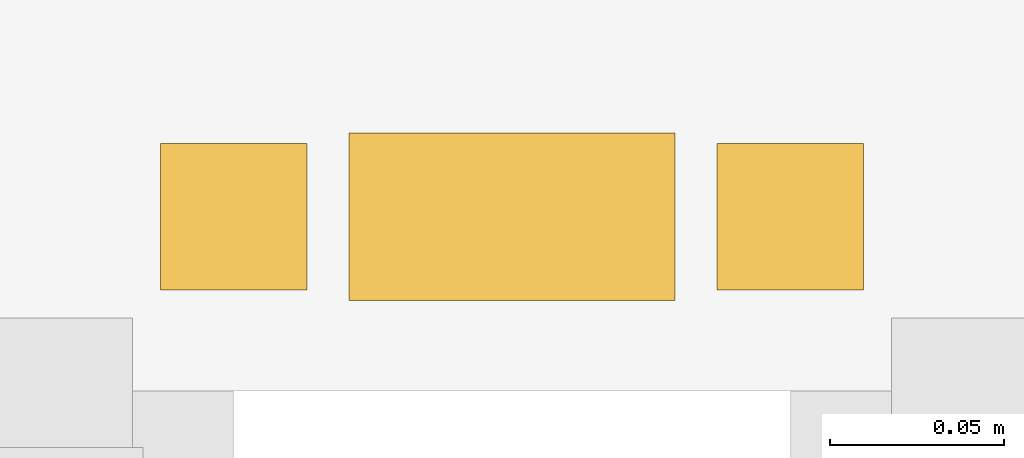
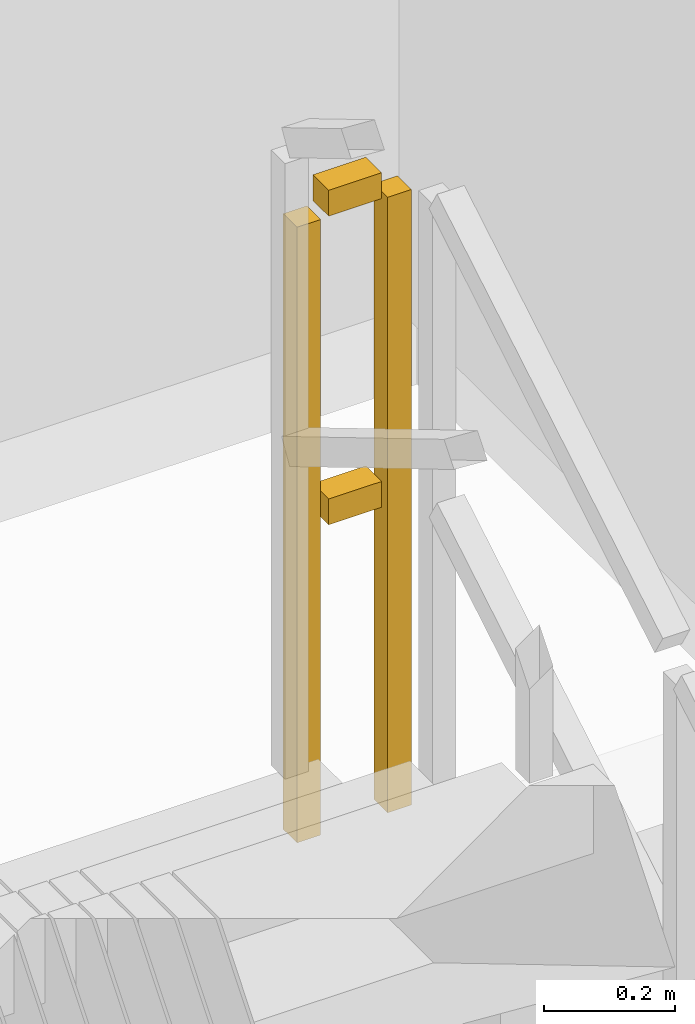
# One storey, part 13 of 13: 1 railing.
"""IFC4 building model written with IfcOpenShell, lengths in metres."""

from ifc_helpers import new_model, si_unit, direction, frame, origin, origin_2d, place, context, subcontext, project, spatial, rectangle, extrude, material, type_object, element, save


model = new_model("IFC4")

# Units and contexts
model_context = context("Model", 3, precision=1e-05, world=origin(), true_north=direction((0.0, 1.0)))
body_context = subcontext(model_context, "Body", "Model", "MODEL_VIEW")
ifc_project = project(units=[si_unit("LENGTHUNIT", "METRE"), si_unit("AREAUNIT", "SQUARE_METRE"), si_unit("VOLUMEUNIT", "CUBIC_METRE"), si_unit("PLANEANGLEUNIT", "RADIAN"), si_unit("MASSUNIT", "GRAM", prefix="KILO")], contexts=[model_context])

# Site, building, storey
site_placement = place(None, origin())
site = spatial("IfcSite", under=ifc_project, at=site_placement, CompositionType="ELEMENT")
building_placement = place(site_placement, origin())
building = spatial("IfcBuilding", under=site, at=building_placement, Name="Saelheon Loggia Tower", CompositionType="ELEMENT")
storey_placement = place(building_placement, frame((0.0, 0.0, 83.85009765625)))
storey = spatial("IfcBuildingStorey", under=building, at=storey_placement, Name="L26", CompositionType="ELEMENT", Elevation=83.85009765625)

# Railing
ifc_material = material(Name="Galvanised Steel S275 Stairwell Guardrail", Category="steel")
railing_type = type_object("IfcRailingType", Name="Guard_StairWell_RL_STG", PredefinedType="GUARDRAIL", material=ifc_material)
railing_placement = place(storey_placement, frame((42.489990234375, 32.739990234375, 1.5)))
element("IfcRailing", 1, at=railing_placement, inside=storey, type_object=railing_type, Name="L26 ST2 stair guard 2", PredefinedType="GUARDRAIL", context=body_context, shape_type="SweptSolid", body=[
    extrude(rectangle(XDim=0.048095703125, YDim=0.048095703125, at=origin_2d()), frame((-0.033203125, 0.0, 1.17578125), z_axis=(-1.0, 0.0, 0.0), x_axis=(0.0, -1.0, 0.0)), (0.0, 0.0, 1.0), 0.093505859375),
    extrude(rectangle(XDim=0.048095703125, YDim=0.048095703125, at=origin_2d()), frame((-0.033203125, 0.0, 0.60009765625), z_axis=(-1.0, 0.0, 0.0), x_axis=(0.0, -1.0, 0.0)), (0.0, 0.0, 1.0), 0.093505859375),
    extrude(rectangle(XDim=0.0419921875, YDim=0.0419921875, at=origin_2d()), origin(), (0.0, 0.0, 1.0), 1.14794921875),
    extrude(rectangle(XDim=0.0419921875, YDim=0.0419921875, at=origin_2d()), frame((-0.159912109375, 0.0, 0.0)), (0.0, 0.0, 1.0), 1.14794921875),
])

save(model, "model.ifc")
